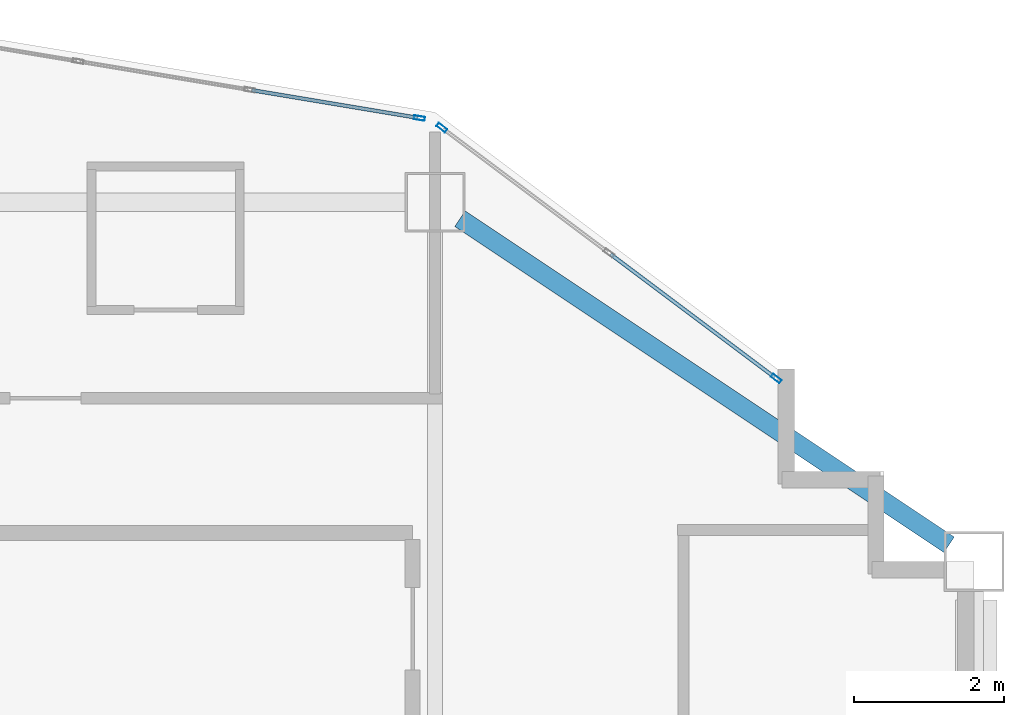
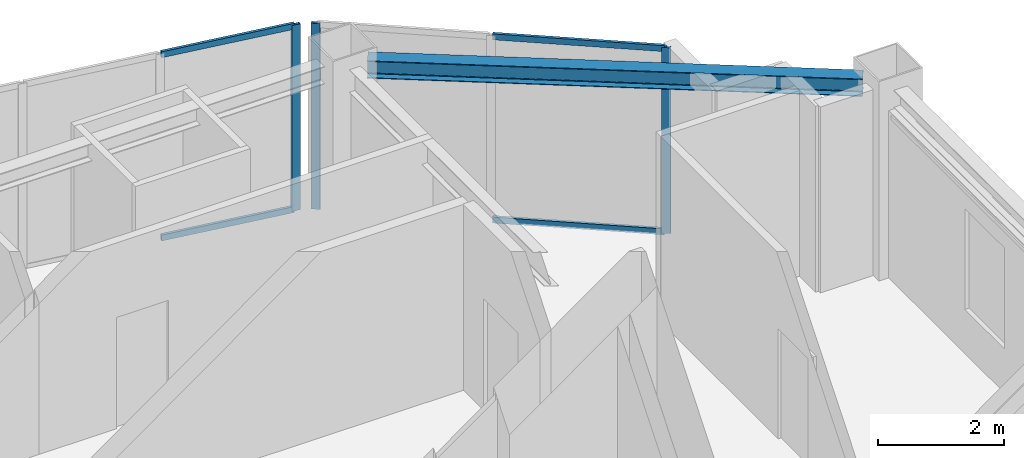
# One storey, part 3 of 9: 7 members, 1 beam, 2 elements without a shape of their own.
"""IFC4 building model written with IfcOpenShell, lengths in metres."""

from ifc_helpers import new_model, si_unit, direction, frame, origin, origin_2d, place, context, subcontext, project, spatial, hollow_rectangle, i_section, extrude, material, layer, layer_set, material_profile, profile_set, type_object, element, aggregate, save


model = new_model("IFC4")

# Units and contexts
model_context = context("Model", 3, precision=1e-05, world=origin(), true_north=direction((0.0, 1.0)))
body_context = subcontext(model_context, "Body", "Model", "MODEL_VIEW")
ifc_project = project(units=[si_unit("LENGTHUNIT", "METRE"), si_unit("AREAUNIT", "SQUARE_METRE"), si_unit("VOLUMEUNIT", "CUBIC_METRE"), si_unit("PLANEANGLEUNIT", "RADIAN"), si_unit("MASSUNIT", "GRAM", prefix="KILO")], contexts=[model_context])

# Site, building, storey
site_placement = place(None, origin())
site = spatial("IfcSite", under=ifc_project, at=site_placement, CompositionType="ELEMENT")
building_placement = place(site_placement, origin())
building = spatial("IfcBuilding", under=site, at=building_placement, Name="Haolan Belvedere Tower", CompositionType="ELEMENT")
storey_placement = place(building_placement, frame((0.0, 0.0, 273.699951171875)))
storey = spatial("IfcBuildingStorey", under=building, at=storey_placement, Name="L69", CompositionType="ELEMENT", Elevation=273.699951171875)

# Beam
ifc_material_1 = material(Name="Steel Q355B", Category="steel")
ifc_material_profile_1 = material_profile(ifc_material_1, i_section(OverallWidth=0.25, OverallDepth=0.340087890625, WebThickness=0.009033203125, FlangeThickness=0.013916015625, FilletRadius=0.02001953125, at=origin_2d()), Name="Steel Q355B")
ifc_profile_set_1 = profile_set([ifc_material_profile_1], Name="Steel Q355B")
beam_type = type_object("IfcBeamType", Name="BM-HM340x250x9x14", PredefinedType="SPANDREL", material=ifc_profile_set_1)
beam_placement = place(storey_placement, frame((45.932861328125, 50.17822265625, 3.420166015625), z_axis=(0.832040729016, -0.55471454394, 0.0), x_axis=(0.55471454394, 0.832040729016, 0.0)))
element("IfcBeam", 1, at=beam_placement, inside=storey, type_object=beam_type, Name="L69 spandrel girder MC-T3-N2-MC-T3-NE", PredefinedType="SPANDREL", context=body_context, shape_type="SweptSolid", body=[
    extrude(i_section(OverallWidth=0.25, OverallDepth=0.340087890625, WebThickness=0.009033203125, FlangeThickness=0.013916015625, FilletRadius=0.02001953125, at=origin_2d()), origin(), (0.0, 0.0, 1.0), 7.853515625),
])

# Curtain wall, members
ifc_material_2 = material(Name="Anodised champagne-silver aluminium 6063-T6 and Low-E glass", Category="aluminium")
ifc_layer = layer(ifc_material_2, 0.14501953125, Name="Anodised champagne-silver aluminium 6063-T6 and Low-E glass")
ifc_layer_set = layer_set([ifc_layer], Name="Anodised champagne-silver aluminium 6063-T6 and Low-E glass")
curtain_wall_type = type_object("IfcCurtainWallType", Name="CW-SYS-05", PredefinedType="NOTDEFINED", material=ifc_layer_set)
curtain_wall_1_placement = place(storey_placement, origin())
curtain_wall_1 = element("IfcCurtainWall", 2, at=curtain_wall_1_placement, inside=storey, type_object=curtain_wall_type, Name="L69 CW-SYS-05 ribbon curtain wall 8.1", PredefinedType="NOTDEFINED")
ifc_material_3 = material(Name="Anodised aluminium 6063-T6", Category="aluminium")
ifc_material_profile_2 = material_profile(ifc_material_3, hollow_rectangle(XDim=0.053955078125, YDim=0.14501953125, WallThickness=0.00390625, at=origin_2d()), Name="Anodised aluminium 6063-T6")
ifc_profile_set_2 = profile_set([ifc_material_profile_2], Name="Anodised aluminium 6063-T6")
member_type_1 = type_object("IfcMemberType", Name="CW-SYS-05-MUL", PredefinedType="MULLION", material=ifc_profile_set_2)
member_1_placement = place(storey_placement, frame((50.156494140625, 48.045166015625, 0.0), z_axis=(0.0, 0.0, 1.0), x_axis=(-0.600002837806, -0.799997871638, 0.0)))
member_1 = element("IfcMember", 3, at=member_1_placement, type_object=member_type_1, Name="CW-05 mullion 1", PredefinedType="MULLION", context=body_context, shape_type="SweptSolid", body=[
    extrude(hollow_rectangle(XDim=0.053955078125, YDim=0.14501953125, WallThickness=0.00390625, at=origin_2d()), origin(), (0.0, 0.0, 1.0), 3.590087890625),
])
member_2_placement = place(storey_placement, frame((45.689208984375, 51.395751953125, 0.0), z_axis=(0.0, 0.0, 1.0), x_axis=(-0.600002837806, -0.799997871638, 0.0)))
member_2 = element("IfcMember", 4, at=member_2_placement, type_object=member_type_1, Name="CW-05 mullion 3", PredefinedType="MULLION", context=body_context, shape_type="SweptSolid", body=[
    extrude(hollow_rectangle(XDim=0.053955078125, YDim=0.14501953125, WallThickness=0.00390625, at=origin_2d()), origin(), (0.0, 0.0, 1.0), 3.590087890625),
])

# Curtain wall, member
curtain_wall_2_placement = place(storey_placement, origin())
curtain_wall_2 = element("IfcCurtainWall", 5, at=curtain_wall_2_placement, inside=storey, type_object=curtain_wall_type, Name="L69 CW-SYS-05 ribbon curtain wall 9.1", PredefinedType="NOTDEFINED")
member_3_placement = place(storey_placement, frame((45.390869140625, 51.5234375, 0.0), z_axis=(0.0, 0.0, 1.0), x_axis=(-0.164405962825, -0.98639276122, 0.0)))
member_3 = element("IfcMember", 6, at=member_3_placement, type_object=member_type_1, Name="CW-05 mullion 1", PredefinedType="MULLION", context=body_context, shape_type="SweptSolid", body=[
    extrude(hollow_rectangle(XDim=0.053955078125, YDim=0.14501953125, WallThickness=0.00390625, at=origin_2d()), origin(), (0.0, 0.0, 1.0), 3.590087890625),
])

# Member
ifc_material_profile_3 = material_profile(ifc_material_3, hollow_rectangle(XDim=0.050048828125, YDim=0.114990234375, WallThickness=0.00390625, at=origin_2d()), Name="Anodised aluminium 6063-T6")
ifc_profile_set_3 = profile_set([ifc_material_profile_3], Name="Anodised aluminium 6063-T6")
member_type_2 = type_object("IfcMemberType", Name="CW-SYS-05-TRN", PredefinedType="USERDEFINED", material=ifc_profile_set_3)
member_4_placement = place(storey_placement, frame((50.134765625, 48.061279296875, 0.025146484375), z_axis=(-0.799957200433, 0.60005706185, 0.0), x_axis=(-0.60005706185, -0.799957200433, 0.0)))
member_4 = element("IfcMember", 7, at=member_4_placement, type_object=member_type_2, Name="CW-05 transom 1.1", ObjectType="TRANSOM", PredefinedType="USERDEFINED", context=body_context, shape_type="SweptSolid", body=[
    extrude(hollow_rectangle(XDim=0.050048828125, YDim=0.114990234375, WallThickness=0.00390625, at=origin_2d()), origin(), (0.0, 0.0, 1.0), 2.73828125),
])

member_5_placement = place(storey_placement, frame((50.134765625, 48.061279296875, 3.56494140625), z_axis=(-0.799957200433, 0.60005706185, 0.0), x_axis=(-0.60005706185, -0.799957200433, 0.0)))
member_5 = element("IfcMember", 8, at=member_5_placement, type_object=member_type_2, Name="CW-05 transom 1.2", ObjectType="TRANSOM", PredefinedType="USERDEFINED", context=body_context, shape_type="SweptSolid", body=[
    extrude(hollow_rectangle(XDim=0.050048828125, YDim=0.114990234375, WallThickness=0.00390625, at=origin_2d()), origin(), (0.0, 0.0, 1.0), 2.73828125),
])

aggregate(curtain_wall_1, [member_1, member_2, member_4, member_5])

member_6_placement = place(storey_placement, frame((45.364013671875, 51.52783203125, 0.025146484375), z_axis=(-0.986390982779, 0.164416632651, 0.0), x_axis=(-0.164416632651, -0.986390982779, 0.0)))
member_6 = element("IfcMember", 9, at=member_6_placement, type_object=member_type_2, Name="CW-05 transom 1.1", ObjectType="TRANSOM", PredefinedType="USERDEFINED", context=body_context, shape_type="SweptSolid", body=[
    extrude(hollow_rectangle(XDim=0.050048828125, YDim=0.114990234375, WallThickness=0.00390625, at=origin_2d()), origin(), (0.0, 0.0, 1.0), 2.24365234375),
])

member_7_placement = place(storey_placement, frame((45.364013671875, 51.52783203125, 3.56494140625), z_axis=(-0.986390982779, 0.164416632651, 0.0), x_axis=(-0.164416632651, -0.986390982779, 0.0)))
member_7 = element("IfcMember", 10, at=member_7_placement, type_object=member_type_2, Name="CW-05 transom 1.2", ObjectType="TRANSOM", PredefinedType="USERDEFINED", context=body_context, shape_type="SweptSolid", body=[
    extrude(hollow_rectangle(XDim=0.050048828125, YDim=0.114990234375, WallThickness=0.00390625, at=origin_2d()), origin(), (0.0, 0.0, 1.0), 2.24365234375),
])

aggregate(curtain_wall_2, [member_3, member_6, member_7])

save(model, "model.ifc")
